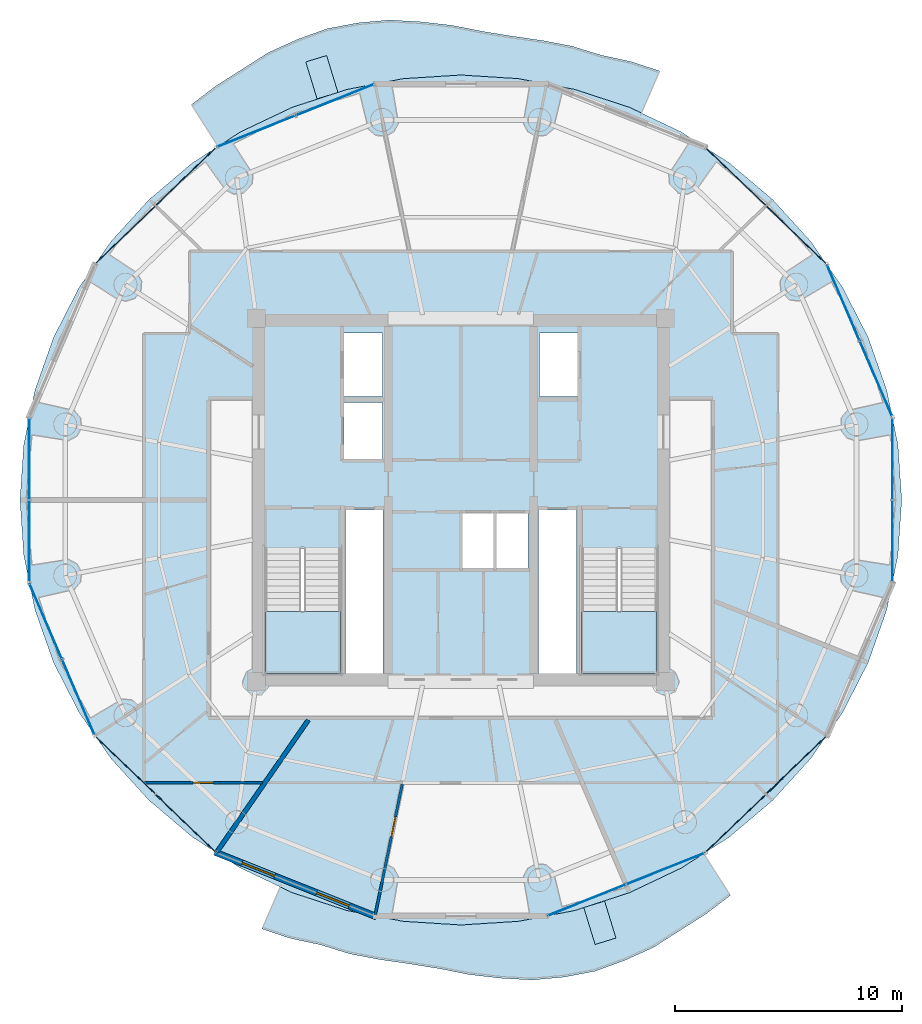
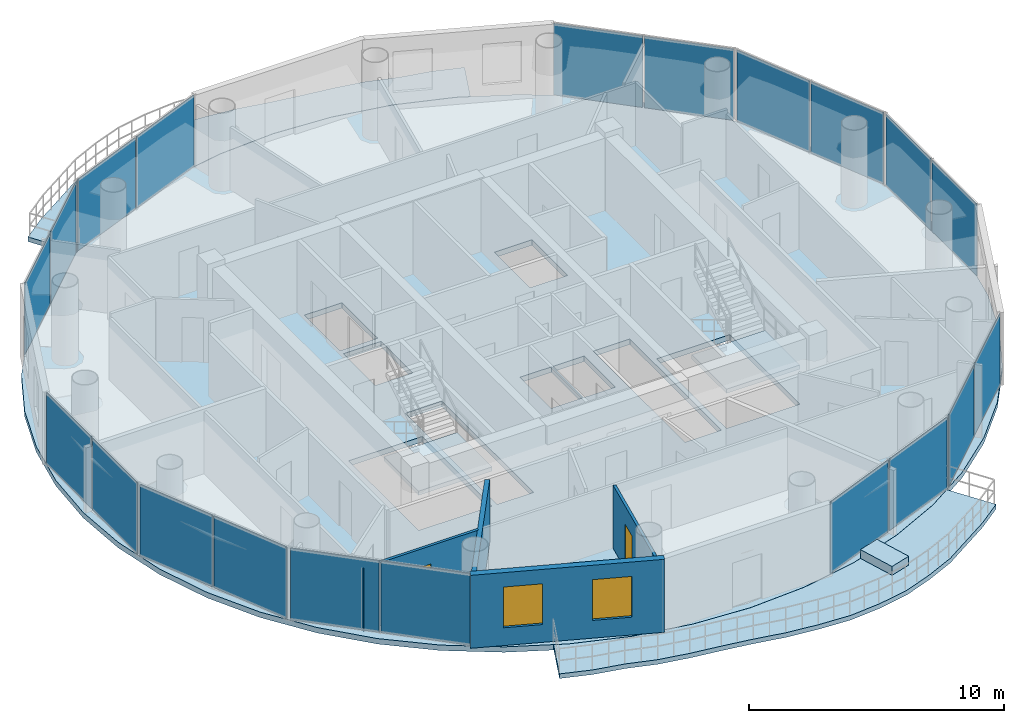
# One storey, part 17 of 24: 20 plates, 7 slabs, 4 walls, 2 doors, 2 windows, 4 openings, 12 elements without a shape of their own.
"""IFC4 building model written with IfcOpenShell, lengths in metres."""

from ifc_helpers import new_model, si_unit, direction, frame, frame_2d, origin, origin_2d, place, context, subcontext, project, spatial, polyline, rectangle, outline, extrude, source, transform, mapped, material, layer, layer_set, type_object, element, fill, aggregate, save


model = new_model("IFC4")

# Units and contexts
model_context = context("Model", 3, precision=1e-05, world=origin(), true_north=direction((-0.2419218956, 0.970295726276)))
body_context = subcontext(model_context, "Body", "Model", "MODEL_VIEW")
ifc_project = project(units=[si_unit("LENGTHUNIT", "METRE"), si_unit("AREAUNIT", "SQUARE_METRE"), si_unit("VOLUMEUNIT", "CUBIC_METRE"), si_unit("PLANEANGLEUNIT", "RADIAN"), si_unit("MASSUNIT", "GRAM", prefix="KILO")], contexts=[model_context])

# Site, building, storey
site_placement = place(None, origin())
site = spatial("IfcSite", under=ifc_project, at=site_placement, CompositionType="ELEMENT")
building_placement = place(site_placement, origin())
building = spatial("IfcBuilding", under=site, at=building_placement, Name="Cobrevalo Terracotta Tower", CompositionType="ELEMENT")
storey_placement = place(building_placement, frame((0.0, 0.0, 278.199951171875)))
storey = spatial("IfcBuildingStorey", under=building, at=storey_placement, Name="L73", CompositionType="ELEMENT", Elevation=278.199951171875)

# Stair, slab
ifc_material_1 = material(Name="Concrete C50", Category="concrete")
stair_type = type_object("IfcStairType", Name="Core protected escape dogleg stair 1600", PredefinedType="HALF_TURN_STAIR", material=ifc_material_1)
stair_1_placement = place(storey_placement, origin())
stair_1 = element("IfcStair", 1, at=stair_1_placement, inside=storey, type_object=stair_type, Name="L73 Protected exit stair ST-1", PredefinedType="HALF_TURN_STAIR")
ifc_layer_1 = layer(ifc_material_1, 0.199951171875)
ifc_layer_set_1 = layer_set([ifc_layer_1], Name="Concrete C50")
slab_type_1 = type_object("IfcSlabType", Name="Reinforced Concrete Stair Landing 200", PredefinedType="LANDING", material=ifc_layer_set_1)
slab_1_placement = place(storey_placement, frame((0.0, 0.0, 1.675048828125)))
slab_1 = element("IfcSlab", 2, at=slab_1_placement, type_object=slab_type_1, Name="ST-1 landing 1", PredefinedType="LANDING", context=body_context, shape_type="SweptSolid", body=[
    extrude(outline(polyline([(29.375, 21.89990234375), (29.375, 19.175048828125), (32.695068359375, 19.175048828125), (32.695068359375, 21.89990234375), (29.375, 21.89990234375)])), origin(), (0.0, 0.0, 1.0), 0.199951171875),
])
aggregate(stair_1, [slab_1])

stair_2_placement = place(storey_placement, origin())
stair_2 = element("IfcStair", 3, at=stair_2_placement, inside=storey, type_object=stair_type, Name="L73 Protected exit stair ST-2", PredefinedType="HALF_TURN_STAIR")
slab_2_placement = place(storey_placement, frame((0.0, 0.0, 1.675048828125)))
slab_2 = element("IfcSlab", 4, at=slab_2_placement, type_object=slab_type_1, Name="ST-2 landing 1", PredefinedType="LANDING", context=body_context, shape_type="SweptSolid", body=[
    extrude(outline(polyline([(43.304931640625, 21.89990234375), (43.304931640625, 19.175048828125), (46.625, 19.175048828125), (46.625, 21.89990234375), (43.304931640625, 21.89990234375)])), origin(), (0.0, 0.0, 1.0), 0.199951171875),
])
aggregate(stair_2, [slab_2])

# Slabs
ifc_material_2 = material(Name="Concrete C45", Category="concrete")
ifc_layer_2 = layer(ifc_material_2, 0.219970703125)
ifc_layer_set_2 = layer_set([ifc_layer_2], Name="Concrete C45")
slab_type_2 = type_object("IfcSlabType", Name="Spiralling cantilevered balcony lobe slab 220 mm", PredefinedType="FLOOR", material=ifc_layer_set_2)
slab_3_placement = place(storey_placement, frame((0.0, 0.0, -0.219970703125)))
element("IfcSlab", 5, at=slab_3_placement, inside=storey, type_object=slab_type_2, Name="L73 spiralling arc balcony slab lobe 1", PredefinedType="FLOOR", context=body_context, shape_type="SweptSolid", body=[
    extrude(outline(polyline([(46.7529296875, 45.6767578125), (45.4833984375, 46.093017578125), (44.17529296875, 46.37548828125), (42.90625, 46.767333984375), (41.59814453125, 47.018798828125), (40.28125, 47.2080078125), (38.956298828125, 47.422119140625), (37.613525390625, 47.687744140625), (36.2421875, 47.843994140625), (34.8515625, 47.92236328125), (33.46826171875, 47.796142578125), (32.102294921875, 47.53857421875), (30.796630859375, 47.06396484375), (29.534423828125, 46.494140625), (28.366943359375, 45.748779296875), (27.215087890625, 45.017822265625), (26.13818359375, 44.196044921875), (27.310546875, 42.359619140625), (28.299072265625, 42.996337890625), (30.5751953125, 44.078369140625), (32.978271484375, 44.86474609375), (35.467529296875, 45.342041015625), (38.0, 45.501953125), (40.532470703125, 45.342041015625), (43.021728515625, 44.86474609375), (45.4248046875, 44.078369140625), (45.950927734375, 43.828369140625), (46.7529296875, 45.6767578125)])), origin(), (0.0, 0.0, 1.0), 0.219970703125),
])
slab_4_placement = place(storey_placement, frame((0.0, 0.0, -0.219970703125)))
element("IfcSlab", 6, at=slab_4_placement, inside=storey, type_object=slab_type_2, Name="L73 spiralling arc balcony slab lobe 2", PredefinedType="FLOOR", context=body_context, shape_type="SweptSolid", body=[
    extrude(outline(polyline([(29.2470703125, 7.923095703125), (30.5166015625, 7.5068359375), (31.82470703125, 7.224365234375), (33.09375, 6.832763671875), (34.40185546875, 6.581298828125), (35.71875, 6.39208984375), (37.043701171875, 6.177978515625), (38.386474609375, 5.912353515625), (39.7578125, 5.756103515625), (41.1484375, 5.677490234375), (42.53173828125, 5.8037109375), (43.897705078125, 6.0615234375), (45.203369140625, 6.5361328125), (46.465576171875, 7.105712890625), (47.633056640625, 7.85107421875), (48.784912109375, 8.582275390625), (49.86181640625, 9.40380859375), (48.689453125, 11.240234375), (47.700927734375, 10.603515625), (45.4248046875, 9.521484375), (43.021728515625, 8.7353515625), (40.532470703125, 8.258056640625), (38.0, 8.097900390625), (35.467529296875, 8.258056640625), (32.978271484375, 8.7353515625), (30.5751953125, 9.521484375), (30.049072265625, 9.771728515625), (29.2470703125, 7.923095703125)])), origin(), (0.0, 0.0, 1.0), 0.219970703125),
])
ifc_material_3 = material(Name="Precast concrete C45", Category="concrete")
ifc_layer_3 = layer(ifc_material_3, 0.419921875)
ifc_layer_set_3 = layer_set([ifc_layer_3], Name="Precast concrete C45")
slab_type_3 = type_object("IfcSlabType", Name="Structural tree planter trough base 420 mm", PredefinedType="USERDEFINED", material=ifc_layer_set_3)
slab_5_placement = place(storey_placement, origin())
element("IfcSlab", 7, at=slab_5_placement, inside=storey, type_object=slab_type_3, Name="L73 structural tree planter trough 1", ObjectType="PLANTER", PredefinedType="USERDEFINED", context=body_context, shape_type="SweptSolid", body=[
    extrude(outline(polyline([(32.591064453125, 44.7333984375), (32.093017578125, 46.358642578125), (31.17529296875, 46.07763671875), (31.673095703125, 44.4521484375), (32.591064453125, 44.7333984375)])), origin(), (0.0, 0.0, 1.0), 0.420166015625),
])
slab_6_placement = place(storey_placement, origin())
element("IfcSlab", 8, at=slab_6_placement, inside=storey, type_object=slab_type_3, Name="L73 structural tree planter trough 2", ObjectType="PLANTER", PredefinedType="USERDEFINED", context=body_context, shape_type="SweptSolid", body=[
    extrude(outline(polyline([(43.408935546875, 8.86669921875), (43.906982421875, 7.2412109375), (44.82470703125, 7.5224609375), (44.326904296875, 9.14794921875), (43.408935546875, 8.86669921875)])), origin(), (0.0, 0.0, 1.0), 0.420166015625),
])
ifc_layer_4 = layer(ifc_material_2, 0.260009765625)
ifc_layer_set_4 = layer_set([ifc_layer_4], Name="Concrete C45")
slab_type_4 = type_object("IfcSlabType", Name="Zone Z5 elliptical floor plate 260 mm", PredefinedType="FLOOR", material=ifc_layer_set_4)
slab_7_placement = place(storey_placement, frame((0.0, 0.0, -0.260009765625)))
element("IfcSlab", 9, at=slab_7_placement, inside=storey, type_object=slab_type_4, Name="L73 indoor elliptical floor slab", PredefinedType="FLOOR", context=body_context, shape_type="SweptSolid", body=[
    extrude(outline(polyline([(57.234130859375, 24.359130859375), (56.739013671875, 21.9599609375), (55.92333984375, 19.643798828125), (54.80078125, 17.449951171875), (53.39111328125, 15.416259765625), (51.7177734375, 13.5771484375), (49.81005859375, 11.96435546875), (47.699951171875, 10.605224609375), (45.424072265625, 9.5234375), (43.02099609375, 8.7373046875), (40.5322265625, 8.260009765625), (38.0, 8.10009765625), (35.4677734375, 8.260009765625), (32.97900390625, 8.7373046875), (30.575927734375, 9.5234375), (28.300048828125, 10.605224609375), (26.18994140625, 11.96435546875), (24.2822265625, 13.5771484375), (22.60888671875, 15.416259765625), (21.19921875, 17.449951171875), (20.07666015625, 19.643798828125), (19.260986328125, 21.9599609375), (18.765869140625, 24.359130859375), (18.60009765625, 26.800048828125), (18.765869140625, 29.24072265625), (19.260986328125, 31.639892578125), (20.07666015625, 33.956298828125), (21.19921875, 36.14990234375), (22.60888671875, 38.183837890625), (24.2822265625, 40.02294921875), (26.18994140625, 41.6357421875), (28.300048828125, 42.99462890625), (30.575927734375, 44.07666015625), (32.97900390625, 44.86279296875), (35.4677734375, 45.340087890625), (38.0, 45.5), (40.5322265625, 45.340087890625), (43.02099609375, 44.86279296875), (45.424072265625, 44.07666015625), (47.699951171875, 42.99462890625), (49.81005859375, 41.6357421875), (51.7177734375, 40.02294921875), (53.39111328125, 38.183837890625), (54.80078125, 36.14990234375), (55.92333984375, 33.956298828125), (56.739013671875, 31.639892578125), (57.234130859375, 29.24072265625), (57.39990234375, 26.800048828125), (57.234130859375, 24.359130859375)]), holes=[polyline([(32.695068359375, 19.175048828125), (32.695068359375, 24.659912109375), (29.375, 24.659912109375), (29.375, 19.175048828125), (32.695068359375, 19.175048828125)]), polyline([(46.625, 19.175048828125), (46.625, 24.659912109375), (43.304931640625, 24.659912109375), (43.304931640625, 19.175048828125), (46.625, 19.175048828125)]), polyline([(34.574951171875, 26.360107421875), (32.919921875, 26.360107421875), (32.919921875, 19.175048828125), (34.574951171875, 19.175048828125), (34.574951171875, 26.360107421875)]), polyline([(43.080078125, 26.360107421875), (41.425048828125, 26.360107421875), (41.425048828125, 19.175048828125), (43.080078125, 19.175048828125), (43.080078125, 26.360107421875)]), polyline([(39.469970703125, 26.25), (38.0400390625, 26.25), (38.0400390625, 23.800048828125), (39.469970703125, 23.800048828125), (39.469970703125, 26.25)]), polyline([(40.949951171875, 26.25), (39.52001953125, 26.25), (39.52001953125, 23.800048828125), (40.949951171875, 23.800048828125), (40.949951171875, 26.25)]), polyline([(34.550048828125, 31.10009765625), (32.85009765625, 31.10009765625), (32.85009765625, 28.60009765625), (34.550048828125, 28.60009765625), (34.550048828125, 31.10009765625)]), polyline([(34.550048828125, 31.35009765625), (34.550048828125, 34.14990234375), (32.85009765625, 34.14990234375), (32.85009765625, 31.35009765625), (34.550048828125, 31.35009765625)]), polyline([(43.14990234375, 31.35009765625), (43.14990234375, 34.14990234375), (41.449951171875, 34.14990234375), (41.449951171875, 31.35009765625), (43.14990234375, 31.35009765625)])]), origin(), (0.0, 0.0, 1.0), 0.260009765625),
])

# Curtain wall, plates
ifc_material_4 = material(Name="Anodized aluminium", Category="aluminium")
curtain_wall_type = type_object("IfcCurtainWallType", Name="Upper-tower triple-glazed penthouse curtain wall CW-U3", PredefinedType="NOTDEFINED", material=ifc_material_4)
curtain_wall_1_placement = place(storey_placement, origin())
curtain_wall_1 = element("IfcCurtainWall", 10, at=curtain_wall_1_placement, inside=storey, type_object=curtain_wall_type, Name="L73 curtain wall CW-L73-S02", PredefinedType="NOTDEFINED")
ifc_material_5 = material(Name="Solar-control low-E double glazing", Category="glass")
ifc_layer_5 = layer(ifc_material_5, 0.028076171875)
ifc_layer_set_5 = layer_set([ifc_layer_5], Name="Solar-control low-E double glazing")
plate_type = type_object("IfcPlateType", Name="Tower solar-control low-E vision glass panel 28 mm", PredefinedType="CURTAIN_PANEL", material=ifc_layer_set_5)
shared_shape_1 = source(origin(), body_context, "Body", "SweptSolid", [
    extrude(rectangle(XDim=3.59130859375, YDim=0.035888671875, at=origin_2d()), origin(), (0.0, 0.0, 1.0), 3.409912109375),
])
plate_1_placement = place(storey_placement, frame((52.755126953125, 38.47412109375, 0.0400390625), z_axis=(0.0, 0.0, 1.0), x_axis=(-0.719996603293, 0.693977586992, 0.0)))
plate_1 = element("IfcPlate", 11, at=plate_1_placement, type_object=plate_type, Name="CW-L73-S02 glazing panel B01", PredefinedType="CURTAIN_PANEL", context=body_context, shape_type="MappedRepresentation", body=[
    mapped(shared_shape_1, transform((0.0, 0.0, 0.0), scale=1.0)),
])
plate_2_placement = place(storey_placement, frame((50.11181640625, 41.02197265625, 0.0400390625), z_axis=(0.0, 0.0, 1.0), x_axis=(-0.719996603293, 0.693977586992, 0.0)))
plate_2 = element("IfcPlate", 12, at=plate_2_placement, type_object=plate_type, Name="CW-L73-S02 glazing panel B02", PredefinedType="CURTAIN_PANEL", context=body_context, shape_type="MappedRepresentation", body=[
    mapped(shared_shape_1, transform((0.0, 0.0, 0.0), scale=1.0)),
])
aggregate(curtain_wall_1, [plate_1, plate_2])

curtain_wall_2_placement = place(storey_placement, origin())
curtain_wall_2 = element("IfcCurtainWall", 13, at=curtain_wall_2_placement, inside=storey, type_object=curtain_wall_type, Name="L73 curtain wall CW-L73-S06", PredefinedType="NOTDEFINED")
plate_3_placement = place(storey_placement, frame((25.88818359375, 41.02197265625, 0.0400390625), z_axis=(0.0, 0.0, 1.0), x_axis=(-0.719996603293, -0.693977586992, 0.0)))
plate_3 = element("IfcPlate", 14, at=plate_3_placement, type_object=plate_type, Name="CW-L73-S06 glazing panel B01", PredefinedType="CURTAIN_PANEL", context=body_context, shape_type="MappedRepresentation", body=[
    mapped(shared_shape_1, transform((0.0, 0.0, 0.0), scale=1.0)),
])
plate_4_placement = place(storey_placement, frame((23.244873046875, 38.47412109375, 0.0400390625), z_axis=(0.0, 0.0, 1.0), x_axis=(-0.719996603293, -0.693977586992, 0.0)))
plate_4 = element("IfcPlate", 15, at=plate_4_placement, type_object=plate_type, Name="CW-L73-S06 glazing panel B02", PredefinedType="CURTAIN_PANEL", context=body_context, shape_type="MappedRepresentation", body=[
    mapped(shared_shape_1, transform((0.0, 0.0, 0.0), scale=1.0)),
])
aggregate(curtain_wall_2, [plate_3, plate_4])

curtain_wall_3_placement = place(storey_placement, origin())
curtain_wall_3 = element("IfcCurtainWall", 16, at=curtain_wall_3_placement, inside=storey, type_object=curtain_wall_type, Name="L73 curtain wall CW-L73-S10", PredefinedType="NOTDEFINED")
plate_5_placement = place(storey_placement, frame((23.244873046875, 15.1259765625, 0.0400390625), z_axis=(0.0, 0.0, 1.0), x_axis=(0.719996603293, -0.693977586992, 0.0)))
plate_5 = element("IfcPlate", 17, at=plate_5_placement, type_object=plate_type, Name="CW-L73-S10 glazing panel B01", PredefinedType="CURTAIN_PANEL", context=body_context, shape_type="MappedRepresentation", body=[
    mapped(shared_shape_1, transform((0.0, 0.0, 0.0), scale=1.0)),
])
plate_6_placement = place(storey_placement, frame((25.88818359375, 12.578125, 0.0400390625), z_axis=(0.0, 0.0, 1.0), x_axis=(0.719996603293, -0.693977586992, 0.0)))
plate_6 = element("IfcPlate", 18, at=plate_6_placement, type_object=plate_type, Name="CW-L73-S10 glazing panel B02", PredefinedType="CURTAIN_PANEL", context=body_context, shape_type="MappedRepresentation", body=[
    mapped(shared_shape_1, transform((0.0, 0.0, 0.0), scale=1.0)),
])
aggregate(curtain_wall_3, [plate_5, plate_6])

curtain_wall_4_placement = place(storey_placement, origin())
curtain_wall_4 = element("IfcCurtainWall", 19, at=curtain_wall_4_placement, inside=storey, type_object=curtain_wall_type, Name="L73 curtain wall CW-L73-S14", PredefinedType="NOTDEFINED")
plate_7_placement = place(storey_placement, frame((50.11181640625, 12.578125, 0.0400390625), z_axis=(0.0, 0.0, 1.0), x_axis=(0.719996603293, 0.693977586992, 0.0)))
plate_7 = element("IfcPlate", 20, at=plate_7_placement, type_object=plate_type, Name="CW-L73-S14 glazing panel B01", PredefinedType="CURTAIN_PANEL", context=body_context, shape_type="MappedRepresentation", body=[
    mapped(shared_shape_1, transform((0.0, 0.0, 0.0), scale=1.0)),
])
plate_8_placement = place(storey_placement, frame((52.755126953125, 15.1259765625, 0.0400390625), z_axis=(0.0, 0.0, 1.0), x_axis=(0.719996603293, 0.693977586992, 0.0)))
plate_8 = element("IfcPlate", 21, at=plate_8_placement, type_object=plate_type, Name="CW-L73-S14 glazing panel B02", PredefinedType="CURTAIN_PANEL", context=body_context, shape_type="MappedRepresentation", body=[
    mapped(shared_shape_1, transform((0.0, 0.0, 0.0), scale=1.0)),
])
aggregate(curtain_wall_4, [plate_7, plate_8])

curtain_wall_5_placement = place(storey_placement, origin())
curtain_wall_5 = element("IfcCurtainWall", 22, at=curtain_wall_5_placement, inside=storey, type_object=curtain_wall_type, Name="L73 curtain wall CW-L73-S05", PredefinedType="NOTDEFINED")
shared_shape_2 = source(origin(), body_context, "Body", "SweptSolid", [
    extrude(rectangle(XDim=3.63916015625, YDim=0.035888671875, at=origin_2d()), origin(), (0.0, 0.0, 1.0), 3.409912109375),
])
plate_9_placement = place(storey_placement, frame((32.456787109375, 44.406982421875, 0.0400390625), z_axis=(0.0, 0.0, 1.0), x_axis=(-0.92871833374, -0.370785998353, 0.0)))
plate_9 = element("IfcPlate", 23, at=plate_9_placement, type_object=plate_type, Name="CW-L73-S05 glazing panel B01", PredefinedType="CURTAIN_PANEL", context=body_context, shape_type="MappedRepresentation", body=[
    mapped(shared_shape_2, transform((0.0, 0.0, 0.0), scale=1.0)),
])
plate_10_placement = place(storey_placement, frame((29.002685546875, 43.02783203125, 0.0400390625), z_axis=(0.0, 0.0, 1.0), x_axis=(-0.92871833374, -0.370785998353, 0.0)))
plate_10 = element("IfcPlate", 24, at=plate_10_placement, type_object=plate_type, Name="CW-L73-S05 glazing panel B02", PredefinedType="CURTAIN_PANEL", context=body_context, shape_type="MappedRepresentation", body=[
    mapped(shared_shape_2, transform((0.0, 0.0, 0.0), scale=1.0)),
])
aggregate(curtain_wall_5, [plate_9, plate_10])

curtain_wall_6_placement = place(storey_placement, origin())
curtain_wall_6 = element("IfcCurtainWall", 25, at=curtain_wall_6_placement, inside=storey, type_object=curtain_wall_type, Name="L73 curtain wall CW-L73-S13", PredefinedType="NOTDEFINED")
plate_11_placement = place(storey_placement, frame((43.543212890625, 9.193115234375, 0.0400390625), z_axis=(0.0, 0.0, 1.0), x_axis=(0.92871833374, 0.370785998353, 0.0)))
plate_11 = element("IfcPlate", 26, at=plate_11_placement, type_object=plate_type, Name="CW-L73-S13 glazing panel B01", PredefinedType="CURTAIN_PANEL", context=body_context, shape_type="MappedRepresentation", body=[
    mapped(shared_shape_2, transform((0.0, 0.0, 0.0), scale=1.0)),
])
plate_12_placement = place(storey_placement, frame((46.997314453125, 10.572021484375, 0.0400390625), z_axis=(0.0, 0.0, 1.0), x_axis=(0.92871833374, 0.370785998353, 0.0)))
plate_12 = element("IfcPlate", 27, at=plate_12_placement, type_object=plate_type, Name="CW-L73-S13 glazing panel B02", PredefinedType="CURTAIN_PANEL", context=body_context, shape_type="MappedRepresentation", body=[
    mapped(shared_shape_2, transform((0.0, 0.0, 0.0), scale=1.0)),
])
aggregate(curtain_wall_6, [plate_11, plate_12])

curtain_wall_7_placement = place(storey_placement, origin())
curtain_wall_7 = element("IfcCurtainWall", 28, at=curtain_wall_7_placement, inside=storey, type_object=curtain_wall_type, Name="L73 curtain wall CW-L73-S01", PredefinedType="NOTDEFINED")
shared_shape_3 = source(origin(), body_context, "Body", "SweptSolid", [
    extrude(rectangle(XDim=3.542724609375, YDim=0.035888671875, at=origin_2d()), origin(), (0.0, 0.0, 1.0), 3.409912109375),
])
plate_13_placement = place(storey_placement, frame((56.266845703125, 32.143310546875, 0.0400390625), z_axis=(0.0, 0.0, 1.0), x_axis=(-0.394828845134, 0.918754691444, 0.0)))
plate_13 = element("IfcPlate", 29, at=plate_13_placement, type_object=plate_type, Name="CW-L73-S01 glazing panel B01", PredefinedType="CURTAIN_PANEL", context=body_context, shape_type="MappedRepresentation", body=[
    mapped(shared_shape_3, transform((0.0, 0.0, 0.0), scale=1.0)),
])
plate_14_placement = place(storey_placement, frame((54.83642578125, 35.4716796875, 0.0400390625), z_axis=(0.0, 0.0, 1.0), x_axis=(-0.394828845134, 0.918754691444, 0.0)))
plate_14 = element("IfcPlate", 30, at=plate_14_placement, type_object=plate_type, Name="CW-L73-S01 glazing panel B02", PredefinedType="CURTAIN_PANEL", context=body_context, shape_type="MappedRepresentation", body=[
    mapped(shared_shape_3, transform((0.0, 0.0, 0.0), scale=1.0)),
])
aggregate(curtain_wall_7, [plate_13, plate_14])

curtain_wall_8_placement = place(storey_placement, origin())
curtain_wall_8 = element("IfcCurtainWall", 31, at=curtain_wall_8_placement, inside=storey, type_object=curtain_wall_type, Name="L73 curtain wall CW-L73-S09", PredefinedType="NOTDEFINED")
plate_15_placement = place(storey_placement, frame((19.733154296875, 21.456787109375, 0.0400390625), z_axis=(0.0, 0.0, 1.0), x_axis=(0.394828845134, -0.918754691444, 0.0)))
plate_15 = element("IfcPlate", 32, at=plate_15_placement, type_object=plate_type, Name="CW-L73-S09 glazing panel B01", PredefinedType="CURTAIN_PANEL", context=body_context, shape_type="MappedRepresentation", body=[
    mapped(shared_shape_3, transform((0.0, 0.0, 0.0), scale=1.0)),
])
plate_16_placement = place(storey_placement, frame((21.16357421875, 18.12841796875, 0.0400390625), z_axis=(0.0, 0.0, 1.0), x_axis=(0.394828845134, -0.918754691444, 0.0)))
plate_16 = element("IfcPlate", 33, at=plate_16_placement, type_object=plate_type, Name="CW-L73-S09 glazing panel B02", PredefinedType="CURTAIN_PANEL", context=body_context, shape_type="MappedRepresentation", body=[
    mapped(shared_shape_3, transform((0.0, 0.0, 0.0), scale=1.0)),
])
aggregate(curtain_wall_8, [plate_15, plate_16])

curtain_wall_9_placement = place(storey_placement, origin())
curtain_wall_9 = element("IfcCurtainWall", 34, at=curtain_wall_9_placement, inside=storey, type_object=curtain_wall_type, Name="L73 curtain wall CW-L73-S08", PredefinedType="NOTDEFINED")
shared_shape_4 = source(origin(), body_context, "Body", "SweptSolid", [
    extrude(rectangle(XDim=3.522216796875, YDim=0.035888671875, at=origin_2d()), origin(), (0.0, 0.0, 1.0), 3.409912109375),
])
plate_17_placement = place(storey_placement, frame((19.002197265625, 28.60107421875, 0.0400390625), z_axis=(0.0, 0.0, 1.0), x_axis=(0.0, -1.0, 0.0)))
plate_17 = element("IfcPlate", 35, at=plate_17_placement, type_object=plate_type, Name="CW-L73-S08 glazing panel B01", PredefinedType="CURTAIN_PANEL", context=body_context, shape_type="MappedRepresentation", body=[
    mapped(shared_shape_4, transform((0.0, 0.0, 0.0), scale=1.0)),
])
plate_18_placement = place(storey_placement, frame((19.002197265625, 24.998779296875, 0.0400390625), z_axis=(0.0, 0.0, 1.0), x_axis=(0.0, -1.0, 0.0)))
plate_18 = element("IfcPlate", 36, at=plate_18_placement, type_object=plate_type, Name="CW-L73-S08 glazing panel B02", PredefinedType="CURTAIN_PANEL", context=body_context, shape_type="MappedRepresentation", body=[
    mapped(shared_shape_4, transform((0.0, 0.0, 0.0), scale=1.0)),
])
aggregate(curtain_wall_9, [plate_17, plate_18])

curtain_wall_10_placement = place(storey_placement, origin())
curtain_wall_10 = element("IfcCurtainWall", 37, at=curtain_wall_10_placement, inside=storey, type_object=curtain_wall_type, Name="L73 curtain wall CW-L73-S16", PredefinedType="NOTDEFINED")
plate_19_placement = place(storey_placement, frame((56.997802734375, 24.998779296875, 0.0400390625), z_axis=(0.0, 0.0, 1.0), x_axis=(0.0, 1.0, 0.0)))
plate_19 = element("IfcPlate", 38, at=plate_19_placement, type_object=plate_type, Name="CW-L73-S16 glazing panel B01", PredefinedType="CURTAIN_PANEL", context=body_context, shape_type="MappedRepresentation", body=[
    mapped(shared_shape_4, transform((0.0, 0.0, 0.0), scale=1.0)),
])
plate_20_placement = place(storey_placement, frame((56.997802734375, 28.60107421875, 0.0400390625), z_axis=(0.0, 0.0, 1.0), x_axis=(0.0, 1.0, 0.0)))
plate_20 = element("IfcPlate", 39, at=plate_20_placement, type_object=plate_type, Name="CW-L73-S16 glazing panel B02", PredefinedType="CURTAIN_PANEL", context=body_context, shape_type="MappedRepresentation", body=[
    mapped(shared_shape_4, transform((0.0, 0.0, 0.0), scale=1.0)),
])
aggregate(curtain_wall_10, [plate_19, plate_20])

# Wall
ifc_material_6 = material(Name="Autoclaved aerated concrete block", Category="concrete")
ifc_layer_6 = layer(ifc_material_6, 0.199951171875)
ifc_layer_set_6 = layer_set([ifc_layer_6], Name="Autoclaved aerated concrete block")
wall_type_1 = type_object("IfcWallType", Name="Fire-rated stair, shaft & demising masonry wall 200 mm", PredefinedType="PARTITIONING", material=ifc_layer_set_6)
wall_1_placement = place(storey_placement, frame((31.286376953125, 17.114990234375, 0.0), z_axis=(0.0, 0.0, 1.0), x_axis=(-0.569682734556, -0.821864698079, 0.0)))
element("IfcWall", 40, at=wall_1_placement, inside=storey, type_object=wall_type_1, Name="L73 interior partition IW-L73-DEM-3", PredefinedType="PARTITIONING", context=body_context, shape_type="SweptSolid", body=[
    extrude(rectangle(XDim=7.034423828125, YDim=0.199951171875, at=frame_2d((3.51708984375, 0.0))), origin(), (0.0, 0.0, 1.0), 3.01513671875),
])

# Wall, openings, windows
ifc_layer_7 = layer(ifc_material_6, 0.280029296875)
ifc_layer_set_7 = layer_set([ifc_layer_7], Name="Autoclaved aerated concrete block")
wall_type_2 = type_object("IfcWallType", Name="Insulated tower spandrel & pier wall 280 mm with terracotta rainscreen", PredefinedType="SOLIDWALL", material=ifc_layer_set_7)
wall_2_placement = place(storey_placement, frame((27.164306640625, 11.30615234375, 0.0), z_axis=(0.0, 0.0, 1.0), x_axis=(0.92871332341, -0.370798547626, 0.0)))
wall_2 = element("IfcWall", 41, at=wall_2_placement, inside=storey, type_object=wall_type_2, Name="L73 terracotta rainscreen pier wall S11", PredefinedType="SOLIDWALL", context=body_context, shape_type="SweptSolid", body=[
    extrude(rectangle(XDim=7.678466796875, YDim=0.280029296875, at=frame_2d((3.83935546875, 0.0))), origin(), (0.0, 0.0, 1.0), 3.489990234375),
])
opening_1_placement = place(wall_2_placement, frame((1.298095703125, 0.0, 0.85009765625)))
opening_1 = element("IfcOpeningElement", 42, at=opening_1_placement, cuts=wall_2, Name="Opening WN-12", PredefinedType="OPENING", context=body_context, shape_type="SweptSolid", body=[
    extrude(rectangle(XDim=1.550048828125, YDim=1.949951171875, at=frame_2d((0.77490234375, 0.97509765625))), frame((0.0, 0.14990234375, 0.0), z_axis=(0.0, -1.0, 0.0), x_axis=(1.0, 0.0, 0.0)), (0.0, 0.0, 1.0), 0.300048828125),
])
opening_2_placement = place(wall_2_placement, frame((4.830078125, 0.0, 0.85009765625)))
opening_2 = element("IfcOpeningElement", 43, at=opening_2_placement, cuts=wall_2, Name="Opening WN-12", PredefinedType="OPENING", context=body_context, shape_type="SweptSolid", body=[
    extrude(rectangle(XDim=1.550048828125, YDim=1.949951171875, at=frame_2d((0.77490234375, 0.97509765625))), frame((0.0, 0.14990234375, 0.0), z_axis=(0.0, -1.0, 0.0), x_axis=(1.0, 0.0, 0.0)), (0.0, 0.0, 1.0), 0.300048828125),
])
window_type = type_object("IfcWindowType", Name="Solar-control low-E aluminium window 1550x1950", PartitioningType="SINGLE_PANEL", PredefinedType="WINDOW", material=ifc_material_5)
shared_shape_5 = source(origin(), body_context, "Body", "SweptSolid", [
    extrude(rectangle(XDim=1.550048828125, YDim=1.949951171875, at=frame_2d((0.77490234375, 0.97509765625))), frame((0.0, 0.030029296875, 0.0), z_axis=(0.0, -1.0, 0.0), x_axis=(1.0, 0.0, 0.0)), (0.0, 0.0, 1.0), 0.06005859375),
])
window_1_placement = place(opening_1_placement, origin())
window_1 = element("IfcWindow", 44, at=window_1_placement, inside=storey, type_object=window_type, Name="L73 suite window S11A", OverallHeight=1.949951171875, OverallWidth=1.550048828125, PartitioningType="SINGLE_PANEL", PredefinedType="WINDOW", context=body_context, shape_type="MappedRepresentation", body=[
    mapped(shared_shape_5, transform((0.0, 0.0, 0.0), scale=1.0)),
])
fill(opening_1, window_1)
window_2_placement = place(opening_2_placement, origin())
window_2 = element("IfcWindow", 45, at=window_2_placement, inside=storey, type_object=window_type, Name="L73 suite window S11B", OverallHeight=1.949951171875, OverallWidth=1.550048828125, PartitioningType="SINGLE_PANEL", PredefinedType="WINDOW", context=body_context, shape_type="MappedRepresentation", body=[
    mapped(shared_shape_5, transform((0.0, 0.0, 0.0), scale=1.0)),
])
fill(opening_2, window_2)

# Wall, opening, door
ifc_material_7 = material(Name="Gypsum board on steel stud", Category="steel")
ifc_layer_8 = layer(ifc_material_7, 0.1201171875)
ifc_layer_set_8 = layer_set([ifc_layer_8], Name="Gypsum board on steel stud")
wall_type_3 = type_object("IfcWallType", Name="Residential internal acoustic stud partition 120 mm", PredefinedType="PARTITIONING", material=ifc_layer_set_8)
wall_3_placement = place(storey_placement, frame((29.271240234375, 14.35498046875, 0.0), z_axis=(0.0, 0.0, 1.0), x_axis=(-1.0, 0.0, 0.0)))
wall_3 = element("IfcWall", 46, at=wall_3_placement, inside=storey, type_object=wall_type_3, Name="L73 interior partition IW-L73-U2-RING0_0", PredefinedType="PARTITIONING", context=body_context, shape_type="SweptSolid", body=[
    extrude(rectangle(XDim=5.21630859375, YDim=0.1201171875, at=frame_2d((2.608154296875, 0.0))), origin(), (0.0, 0.0, 1.0), 3.01513671875),
])
opening_3_placement = place(wall_3_placement, frame((2.158203125, 0.0, 0.0)))
opening_3 = element("IfcOpeningElement", 47, at=opening_3_placement, cuts=wall_3, Name="Opening ID-12", PredefinedType="OPENING", context=body_context, shape_type="SweptSolid", body=[
    extrude(rectangle(XDim=0.89990234375, YDim=2.14990234375, at=frame_2d((0.449951171875, 1.074951171875))), frame((0.0, 0.070068359375, 0.0), z_axis=(0.0, -1.0, 0.0), x_axis=(1.0, 0.0, 0.0)), (0.0, 0.0, 1.0), 0.14013671875),
])
ifc_material_8 = material(Name="Engineered timber", Category="wood")
door_type = type_object("IfcDoorType", Name="Internal residence & suite timber door 900x2150", OperationType="NOTDEFINED", PredefinedType="DOOR", material=ifc_material_8)
shared_shape_6 = source(origin(), body_context, "Body", "SweptSolid", [
    extrude(rectangle(XDim=0.89990234375, YDim=2.14990234375, at=frame_2d((0.449951171875, 1.074951171875))), frame((0.0, 0.02490234375, 0.0), z_axis=(0.0, -1.0, 0.0), x_axis=(1.0, 0.0, 0.0)), (0.0, 0.0, 1.0), 0.050048828125),
])
door_1_placement = place(opening_3_placement, frame((0.89990234375, 0.0, 0.0), z_axis=(0.0, 0.0, 1.0), x_axis=(-1.0, 0.0, 0.0)))
door_1 = element("IfcDoor", 48, at=door_1_placement, inside=storey, type_object=door_type, Name="Flat L73B Master Bedroom internal door", OperationType="SINGLE_SWING_LEFT", OverallHeight=2.14990234375, OverallWidth=0.89990234375, PredefinedType="DOOR", context=body_context, shape_type="MappedRepresentation", body=[
    mapped(shared_shape_6, transform((0.0, 0.0, 0.0), scale=1.0)),
])
fill(opening_3, door_1)

wall_4_placement = place(storey_placement, frame((35.41943359375, 14.294189453125, 0.0), z_axis=(0.0, 0.0, 1.0), x_axis=(-0.202123253109, -0.979360092383, 0.0)))
wall_4 = element("IfcWall", 49, at=wall_4_placement, inside=storey, type_object=wall_type_3, Name="L73 interior partition IW-L73-U3-ORAD1", PredefinedType="PARTITIONING", context=body_context, shape_type="SweptSolid", body=[
    extrude(rectangle(XDim=5.858154296875, YDim=0.1201171875, at=frame_2d((2.92919921875, 0.0))), origin(), (0.0, 0.0, 1.0), 3.01513671875),
])
opening_4_placement = place(wall_4_placement, frame((1.464111328125, 0.0, 0.0)))
opening_4 = element("IfcOpeningElement", 50, at=opening_4_placement, cuts=wall_4, Name="Opening ID-12", PredefinedType="OPENING", context=body_context, shape_type="SweptSolid", body=[
    extrude(rectangle(XDim=0.89990234375, YDim=2.14990234375, at=frame_2d((0.449951171875, 1.074951171875))), frame((0.0, 0.070068359375, 0.0), z_axis=(0.0, -1.0, 0.0), x_axis=(1.0, 0.0, 0.0)), (0.0, 0.0, 1.0), 0.14013671875),
])
door_2_placement = place(opening_4_placement, frame((0.89990234375, 0.0, 0.0), z_axis=(0.0, 0.0, 1.0), x_axis=(-1.0, 0.0, 0.0)))
door_2 = element("IfcDoor", 51, at=door_2_placement, inside=storey, type_object=door_type, Name="Flat L73C Living and Dining Room internal door", OperationType="SINGLE_SWING_RIGHT", OverallHeight=2.14990234375, OverallWidth=0.89990234375, PredefinedType="DOOR", context=body_context, shape_type="MappedRepresentation", body=[
    mapped(shared_shape_6, transform((0.0, 0.0, 0.0), scale=1.0)),
])
fill(opening_4, door_2)

save(model, "model.ifc")
